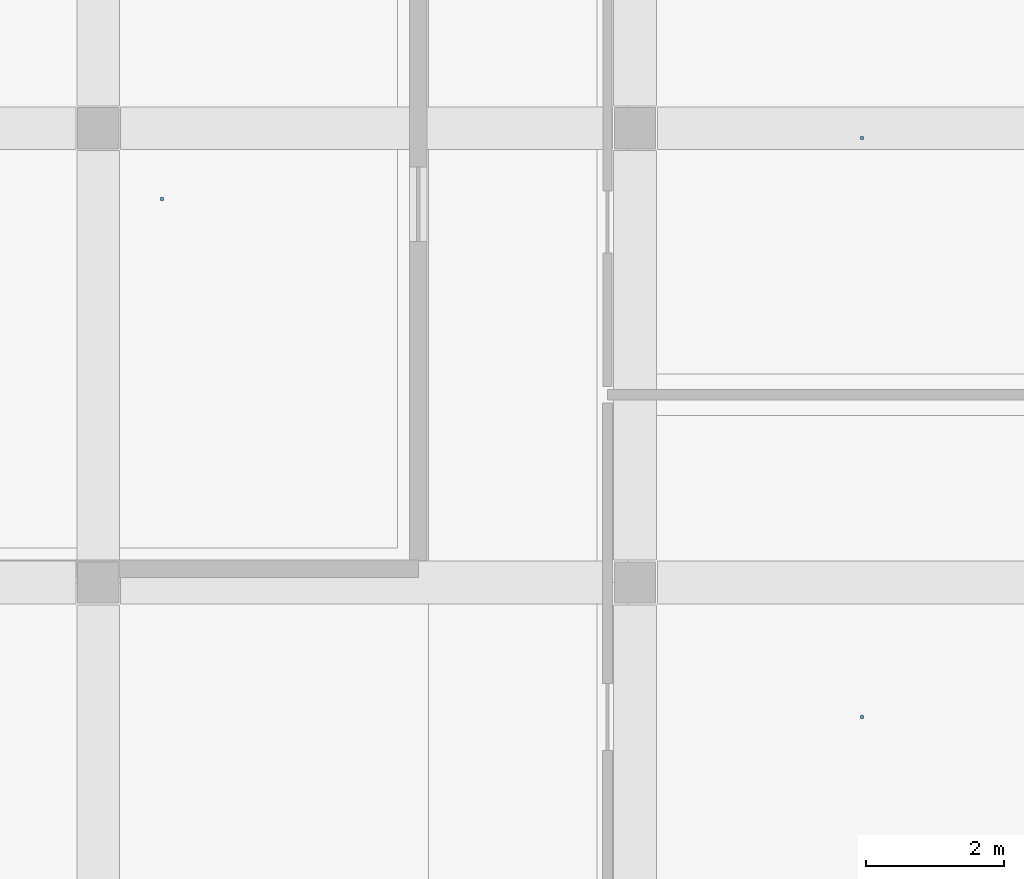
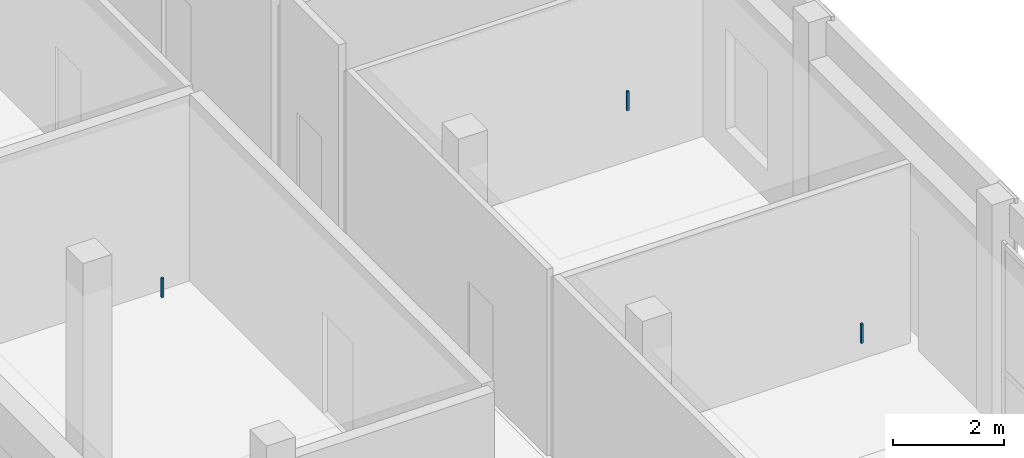
# One storey, part 69 of 88: 3 discrete accessories.
"""IFC4 building model written with IfcOpenShell, lengths in metres."""

from ifc_helpers import new_model, si_unit, derived_unit, direction, frame, origin, origin_2d, place, context, subcontext, project, spatial, rectangle, extrude, material, type_object, element, save


model = new_model("IFC4")

# Units and contexts
model_context = context("Model", 3, precision=1e-05, world=origin(), true_north=direction((0.0, 1.0)))
body_context = subcontext(model_context, "Body", "Model", "MODEL_VIEW")
ifc_project = project(units=[si_unit("LENGTHUNIT", "METRE"), si_unit("AREAUNIT", "SQUARE_METRE"), si_unit("VOLUMEUNIT", "CUBIC_METRE"), si_unit("PLANEANGLEUNIT", "RADIAN"), si_unit("MASSUNIT", "GRAM", prefix="KILO"), derived_unit("THERMALTRANSMITTANCEUNIT", [(si_unit("POWERUNIT", "WATT"), 1), (si_unit("LENGTHUNIT", "METRE"), -2), (si_unit("THERMODYNAMICTEMPERATUREUNIT", "KELVIN"), -1)])], contexts=[model_context])

# Site, building, storey
site_placement = place(None, origin())
site = spatial("IfcSite", under=ifc_project, at=site_placement, CompositionType="ELEMENT")
building_placement = place(site_placement, origin())
building = spatial("IfcBuilding", under=site, at=building_placement, Name="Braskholm Square Health Centre", CompositionType="ELEMENT")
storey_placement = place(building_placement, origin())
storey = spatial("IfcBuildingStorey", under=building, at=storey_placement, Name="L01", CompositionType="ELEMENT", Elevation=0.0)

# Discrete accessories
ifc_material = material(Name="Steel ASTM A500 Grade C", Category="steel")
discrete_accessory_type = type_object("IfcDiscreteAccessoryType", Name="CeilingSuspensionBracket", PredefinedType="BRACKET", material=ifc_material)
for number, where, z_axis, x_axis, name in (
    (1, (159.89697265625, 91.844970703125, 4.08203125), (0.0, 0.0, 1.0), (1.0, 0.0, 0.0), "Ceiling hanger bracket 0121"),
    (2, (159.89697265625, 100.260009765625, 4.08203125), (0.0, 0.0, 1.0), (1.0, 0.0, 0.0), "Ceiling hanger bracket 0122"),
    (3, (149.72705078125, 99.3701171875, 4.08203125), (0.0, 0.0, 1.0), (1.0, 0.0, 0.0), "Ceiling hanger bracket 0129"),
):
    element("IfcDiscreteAccessory", number, at=place(storey_placement, frame(where, z_axis=z_axis, x_axis=x_axis)), inside=storey, type_object=discrete_accessory_type, Name=name, PredefinedType="BRACKET", context=body_context, shape_type="SweptSolid", body=[
        extrude(rectangle(XDim=0.044921875, YDim=0.044921875, at=origin_2d()), origin(), (0.0, 0.0, 1.0), 0.429931640625),
    ])

save(model, "model.ifc")
